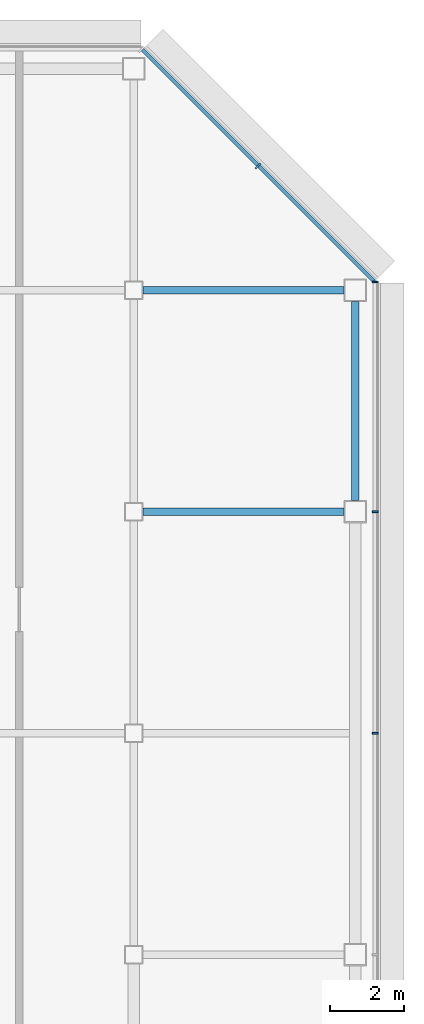
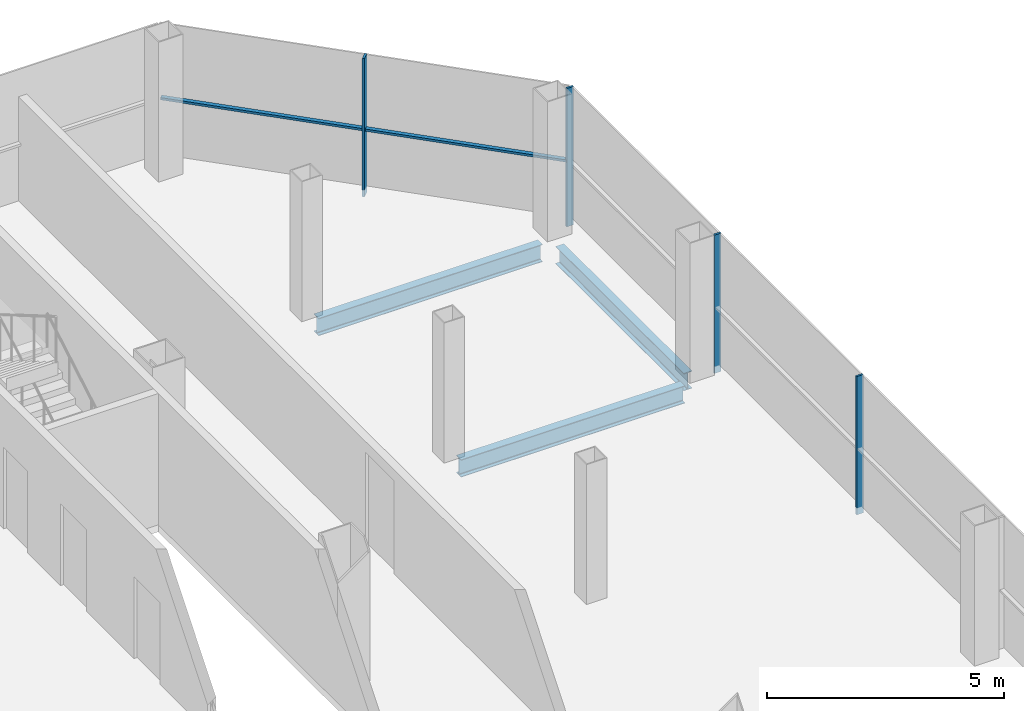
# One storey, part 19 of 28: 5 members, 3 beams, 2 elements without a shape of their own.
"""IFC4 building model written with IfcOpenShell, lengths in metres."""

from ifc_helpers import new_model, si_unit, direction, frame, origin, origin_2d, place, context, subcontext, project, spatial, rectangle, i_section, extrude, material, material_profile, profile_set, type_object, element, aggregate, save


model = new_model("IFC4")

# Units and contexts
model_context = context("Model", 3, precision=1e-05, world=origin(), true_north=direction((0.0, 1.0)))
body_context = subcontext(model_context, "Body", "Model", "MODEL_VIEW")
ifc_project = project(units=[si_unit("LENGTHUNIT", "METRE"), si_unit("AREAUNIT", "SQUARE_METRE"), si_unit("VOLUMEUNIT", "CUBIC_METRE"), si_unit("PLANEANGLEUNIT", "RADIAN"), si_unit("MASSUNIT", "GRAM", prefix="KILO")], contexts=[model_context])

# Site, building, storey
site_placement = place(None, origin())
site = spatial("IfcSite", under=ifc_project, at=site_placement, CompositionType="ELEMENT")
building_placement = place(site_placement, origin())
building = spatial("IfcBuilding", under=site, at=building_placement, Name="Sorahane Residences", CompositionType="ELEMENT")
storey_placement = place(building_placement, frame((0.0, 0.0, 254.0)))
storey = spatial("IfcBuildingStorey", under=building, at=storey_placement, Name="L60", CompositionType="ELEMENT", Elevation=254.0)

# Curtain wall, members
ifc_material_1 = material(Name="Dark low-e glass and black anodised aluminium", Category="aluminium")
curtain_wall_type_1 = type_object("IfcCurtainWallType", Name="Curtain wall CW-1 Typical unitised wall", PredefinedType="NOTDEFINED", material=ifc_material_1)
curtain_wall_1_placement = place(storey_placement, origin())
curtain_wall_1 = element("IfcCurtainWall", 1, at=curtain_wall_1_placement, inside=storey, type_object=curtain_wall_type_1, Name="CW-1 curtain wall L60 E1", PredefinedType="NOTDEFINED")
ifc_material_2 = material(Name="Black anodised aluminium", Category="aluminium")
ifc_material_profile_1 = material_profile(ifc_material_2, rectangle(XDim=0.159912109375, YDim=0.050048828125, at=origin_2d()), Name="Curtain wall mullion CW-1 black anodised aluminium 50x160")
ifc_profile_set_1 = profile_set([ifc_material_profile_1], Name="Black anodised aluminium")
member_type_1 = type_object("IfcMemberType", Name="Curtain wall mullion CW-1 black anodised aluminium 50x160", PredefinedType="MULLION", material=ifc_profile_set_1)
member_1_placement = place(storey_placement, frame((54.5400390625, 30.0, -0.179931640625), z_axis=(0.0, 0.0, 1.0), x_axis=(1.0, 0.0, 0.0)))
member_1 = element("IfcMember", 2, at=member_1_placement, type_object=member_type_1, Name="CW-1 mullion L60 E1.5", PredefinedType="MULLION", context=body_context, shape_type="SweptSolid", body=[
    extrude(rectangle(XDim=0.159912109375, YDim=0.050048828125, at=origin_2d()), origin(), (0.0, 0.0, 1.0), 3.559814453125),
])
member_2_placement = place(storey_placement, frame((54.5400390625, 36.0, -0.179931640625), z_axis=(0.0, 0.0, 1.0), x_axis=(1.0, 0.0, 0.0)))
member_2 = element("IfcMember", 3, at=member_2_placement, type_object=member_type_1, Name="CW-1 mullion L60 E1.6", PredefinedType="MULLION", context=body_context, shape_type="SweptSolid", body=[
    extrude(rectangle(XDim=0.159912109375, YDim=0.050048828125, at=origin_2d()), origin(), (0.0, 0.0, 1.0), 3.559814453125),
])
member_3_placement = place(storey_placement, frame((54.5400390625, 42.2236328125, -0.179931640625), z_axis=(0.0, 0.0, 1.0), x_axis=(1.0, 0.0, 0.0)))
member_3 = element("IfcMember", 4, at=member_3_placement, type_object=member_type_1, Name="CW-1 mullion L60 E1.7", PredefinedType="MULLION", context=body_context, shape_type="SweptSolid", body=[
    extrude(rectangle(XDim=0.159912109375, YDim=0.050048828125, at=origin_2d()), origin(), (0.0, 0.0, 1.0), 3.559814453125),
])
aggregate(curtain_wall_1, [member_1, member_2, member_3])

ifc_material_3 = material(Name="Dark low-e glass and black anodised aluminium", Category="aluminium")
curtain_wall_type_2 = type_object("IfcCurtainWallType", Name="Curtain wall CW-2 Chamfer unitised wall", PredefinedType="NOTDEFINED", material=ifc_material_3)
curtain_wall_2_placement = place(storey_placement, origin())
curtain_wall_2 = element("IfcCurtainWall", 5, at=curtain_wall_2_placement, inside=storey, type_object=curtain_wall_type_2, Name="CW-2 curtain wall L60 NE1", PredefinedType="NOTDEFINED")
ifc_material_4 = material(Name="Black anodised aluminium", Category="aluminium")
ifc_material_profile_2 = material_profile(ifc_material_4, rectangle(XDim=0.199951171875, YDim=0.050048828125, at=origin_2d()), Name="Curtain wall mullion CW-2 black anodised aluminium 50x200")
ifc_profile_set_2 = profile_set([ifc_material_profile_2], Name="Black anodised aluminium")
member_type_2 = type_object("IfcMemberType", Name="Curtain wall mullion CW-2 black anodised aluminium 50x200", PredefinedType="MULLION", material=ifc_profile_set_2)
member_4_placement = place(storey_placement, frame((51.36767578125, 45.36767578125, -0.179931640625), z_axis=(0.0, 0.0, 1.0), x_axis=(0.707106781187, 0.707106781187, 0.0)))
member_4 = element("IfcMember", 6, at=member_4_placement, type_object=member_type_2, Name="CW-2 mullion L60 NE1.2", PredefinedType="MULLION", context=body_context, shape_type="SweptSolid", body=[
    extrude(rectangle(XDim=0.199951171875, YDim=0.050048828125, at=origin_2d()), origin(), (0.0, 0.0, 1.0), 3.559814453125),
])
ifc_material_5 = material(Name="Black anodised aluminium", Category="aluminium")
ifc_material_profile_3 = material_profile(ifc_material_5, rectangle(XDim=0.10009765625, YDim=0.06005859375, at=origin_2d()), Name="Curtain wall transom CW-2 black anodised aluminium 60x100")
ifc_profile_set_3 = profile_set([ifc_material_profile_3], Name="Black anodised aluminium")
member_type_3 = type_object("IfcMemberType", Name="Curtain wall transom CW-2 black anodised aluminium 60x100", PredefinedType="USERDEFINED", material=ifc_profile_set_3)
member_5_placement = place(storey_placement, frame((54.51513671875, 42.234375, 1.5), z_axis=(-0.707106781187, 0.707106781187, 0.0), x_axis=(-0.707106781187, -0.707106781187, 0.0)))
member_5 = element("IfcMember", 7, at=member_5_placement, type_object=member_type_3, Name="CW-2 transom L60 NE1", ObjectType="TRANSOM", PredefinedType="USERDEFINED", context=body_context, shape_type="SweptSolid", body=[
    extrude(rectangle(XDim=0.10009765625, YDim=0.06005859375, at=origin_2d()), origin(), (0.0, 0.0, 1.0), 8.88232421875),
])
aggregate(curtain_wall_2, [member_4, member_5])

# Beams
ifc_material_6 = material(Name="Steel Q355B", Category="steel")
ifc_material_profile_4 = material_profile(ifc_material_6, i_section(OverallWidth=0.199951171875, OverallDepth=0.449951171875, WebThickness=0.009033203125, FlangeThickness=0.013916015625, FilletRadius=0.02001953125, at=origin_2d()), Name="HN 450x200x9x14")
ifc_profile_set_4 = profile_set([ifc_material_profile_4], Name="Steel Q355B")
beam_type = type_object("IfcBeamType", Name="Steel floor beam HN 450x200x9x14 Q355B", PredefinedType="BEAM", material=ifc_profile_set_4)
beam_1_placement = place(storey_placement, frame((48.25, 36.0, -0.405029296875), z_axis=(1.0, 0.0, 0.0), x_axis=(0.0, 1.0, 0.0)))
element("IfcBeam", 8, at=beam_1_placement, inside=storey, type_object=beam_type, Name="Beam L60 014", PredefinedType="BEAM", context=body_context, shape_type="SweptSolid", body=[
    extrude(i_section(OverallWidth=0.199951171875, OverallDepth=0.449951171875, WebThickness=0.009033203125, FlangeThickness=0.013916015625, FilletRadius=0.02001953125, at=origin_2d()), origin(), (0.0, 0.0, 1.0), 5.449951171875),
])
beam_2_placement = place(storey_placement, frame((54.0, 36.300048828125, -0.405029296875), z_axis=(0.0, 1.0, 0.0), x_axis=(-1.0, 0.0, 0.0)))
element("IfcBeam", 9, at=beam_2_placement, inside=storey, type_object=beam_type, Name="Beam L60 067", PredefinedType="BEAM", context=body_context, shape_type="SweptSolid", body=[
    extrude(i_section(OverallWidth=0.199951171875, OverallDepth=0.449951171875, WebThickness=0.009033203125, FlangeThickness=0.013916015625, FilletRadius=0.02001953125, at=origin_2d()), origin(), (0.0, 0.0, 1.0), 5.39990234375),
])
beam_3_placement = place(storey_placement, frame((48.25, 42.0, -0.405029296875), z_axis=(1.0, 0.0, 0.0), x_axis=(0.0, 1.0, 0.0)))
element("IfcBeam", 10, at=beam_3_placement, inside=storey, type_object=beam_type, Name="Beam L60 092", PredefinedType="BEAM", context=body_context, shape_type="SweptSolid", body=[
    extrude(i_section(OverallWidth=0.199951171875, OverallDepth=0.449951171875, WebThickness=0.009033203125, FlangeThickness=0.013916015625, FilletRadius=0.02001953125, at=origin_2d()), origin(), (0.0, 0.0, 1.0), 5.449951171875),
])

save(model, "model.ifc")
